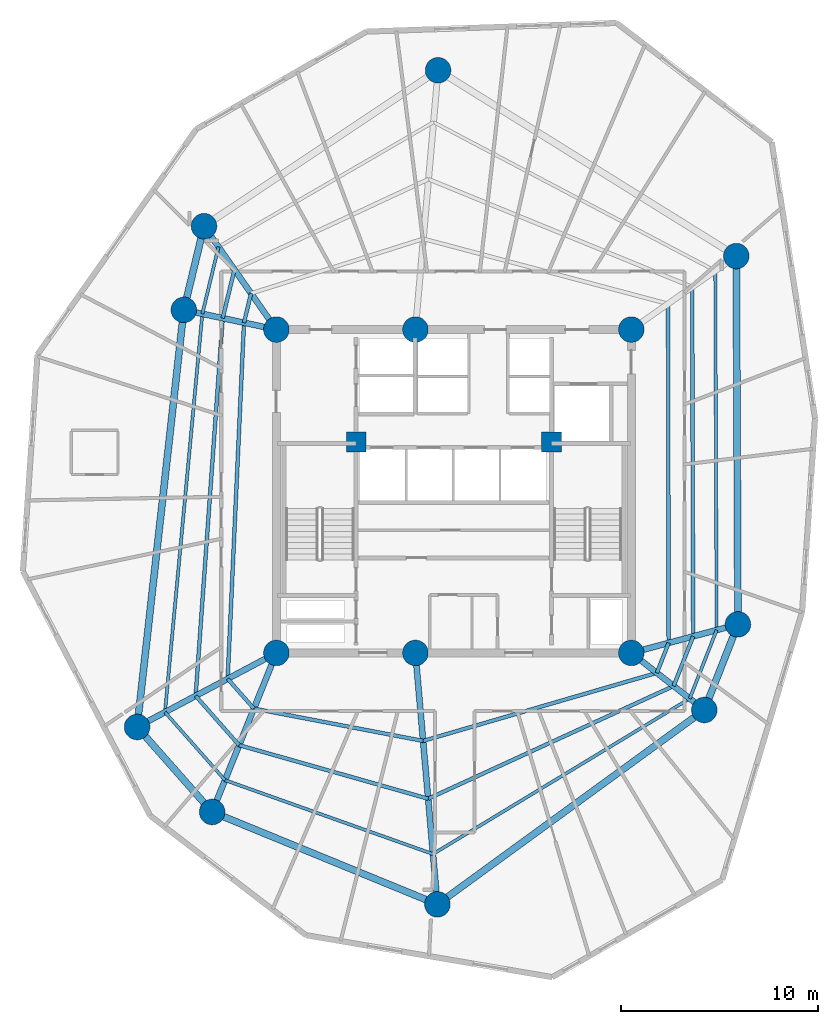
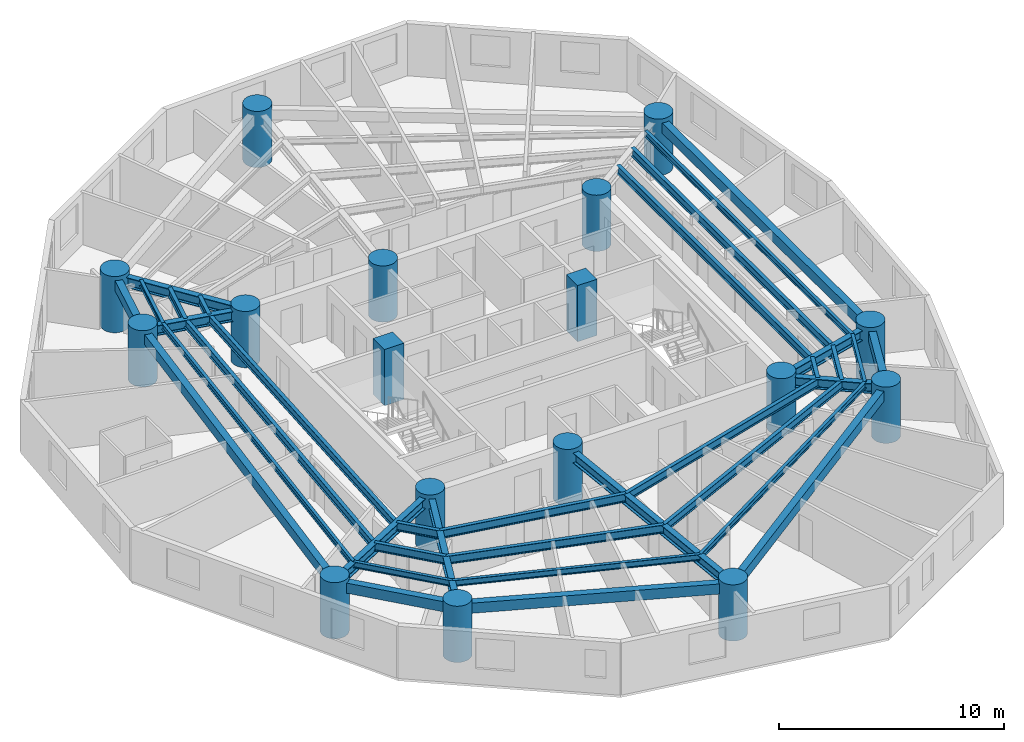
# One storey, part 1 of 8: 35 beams, 17 columns.
"""IFC4 building model written with IfcOpenShell, lengths in metres."""

from ifc_helpers import new_model, si_unit, direction, frame, origin, origin_with_axes, origin_2d, place, context, subcontext, project, spatial, rectangle, circle, i_section, extrude, source, transform, mapped, material, material_profile, profile_set, type_object, element, save


model = new_model("IFC4")

# Units and contexts
model_context = context("Model", 3, precision=1e-05, world=origin(), true_north=direction((0.0, 1.0)))
body_context = subcontext(model_context, "Body", "Model", "MODEL_VIEW")
ifc_project = project(units=[si_unit("LENGTHUNIT", "METRE"), si_unit("AREAUNIT", "SQUARE_METRE"), si_unit("VOLUMEUNIT", "CUBIC_METRE"), si_unit("PLANEANGLEUNIT", "RADIAN"), si_unit("MASSUNIT", "GRAM", prefix="KILO")], contexts=[model_context])

# Site, building, storey
site_placement = place(None, origin())
site = spatial("IfcSite", under=ifc_project, at=site_placement, CompositionType="ELEMENT")
building_placement = place(site_placement, origin())
building = spatial("IfcBuilding", under=site, at=building_placement, Name="Karkom Vertical University and Central Library", CompositionType="ELEMENT")
storey_placement = place(building_placement, frame((0.0, 0.0, 177.89990234375)))
storey = spatial("IfcBuildingStorey", under=building, at=storey_placement, Name="L51", CompositionType="ELEMENT", Elevation=177.89990234375)

# Columns
ifc_material_1 = material(Name="Concrete C50/60", Category="concrete")
ifc_material_profile_1 = material_profile(ifc_material_1, circle(Radius=0.64990234375, at=origin_2d()), Name="CFT-D1300")
ifc_profile_set_1 = profile_set([ifc_material_profile_1], Name="Concrete C50/60")
column_type_1 = type_object("IfcColumnType", Name="STR-COL-C-SC4", PredefinedType="COLUMN", material=ifc_profile_set_1)
shared_shape_1 = source(origin_with_axes(), body_context, "Body", "SweptSolid", [
    extrude(circle(Radius=0.64990234375, at=origin_2d()), origin(), (0.0, 0.0, 1.0), 3.050048828125),
])
for number, where, z_axis, x_axis, name in (
    (1, (19.5, 18.300048828125, 0.0), (0.0, 0.0, 1.0), (1.0, 0.0, 0.0), "Level 51 Spine Mega-Column SC-1"),
    (2, (26.550048828125, 18.300048828125, 0.0), (0.0, 0.0, 1.0), (1.0, 0.0, 0.0), "Level 51 Spine Mega-Column SC-2"),
    (3, (37.5, 18.300048828125, 0.0), (0.0, 0.0, 1.0), (1.0, 0.0, 0.0), "Level 51 Spine Mega-Column SC-3"),
    (4, (19.5, 34.699951171875, 0.0), (0.0, 0.0, 1.0), (1.0, 0.0, 0.0), "Level 51 Spine Mega-Column SC-4"),
    (5, (26.550048828125, 34.699951171875, 0.0), (0.0, 0.0, 1.0), (1.0, 0.0, 0.0), "Level 51 Spine Mega-Column SC-5"),
    (6, (37.5, 34.699951171875, 0.0), (0.0, 0.0, 1.0), (1.0, 0.0, 0.0), "Level 51 Spine Mega-Column SC-6"),
    (7, (42.908935546875, 19.7490234375, 0.0), (0.0, 0.0, 1.0), (1.0, 0.0, 0.0), "Level 51 Perimeter Mega-Column Z3-PC1"),
    (8, (42.823974609375, 38.427978515625, 0.0), (0.0, 0.0, 1.0), (1.0, 0.0, 0.0), "Level 51 Perimeter Mega-Column Z3-PC2"),
    (9, (27.699951171875, 47.85009765625, 0.0), (0.0, 0.0, 1.0), (1.0, 0.0, 0.0), "Level 51 Perimeter Mega-Column Z3-PC3"),
    (10, (15.8291015625, 39.943115234375, 0.0), (0.0, 0.0, 1.0), (1.0, 0.0, 0.0), "Level 51 Perimeter Mega-Column Z3-PC4"),
    (11, (14.804931640625, 35.697998046875, 0.0), (0.0, 0.0, 1.0), (1.0, 0.0, 0.0), "Level 51 Perimeter Mega-Column Z3-PC5"),
    (12, (12.43603515625, 14.5439453125, 0.0), (0.0, 0.0, 1.0), (1.0, 0.0, 0.0), "Level 51 Perimeter Mega-Column Z3-PC6"),
    (13, (16.240966796875, 10.23388671875, 0.0), (0.0, 0.0, 1.0), (1.0, 0.0, 0.0), "Level 51 Perimeter Mega-Column Z3-PC7"),
    (14, (27.666015625, 5.549072265625, 0.0), (0.0, 0.0, 1.0), (1.0, 0.0, 0.0), "Level 51 Perimeter Mega-Column Z3-PC8"),
    (15, (41.2041015625, 15.406005859375, 0.0), (0.0, 0.0, 1.0), (1.0, 0.0, 0.0), "Level 51 Perimeter Mega-Column Z3-PC9"),
):
    element("IfcColumn", number, at=place(storey_placement, frame(where, z_axis=z_axis, x_axis=x_axis)), inside=storey, type_object=column_type_1, Name=name, PredefinedType="COLUMN", context=body_context, shape_type="MappedRepresentation", body=[
        mapped(shared_shape_1, transform((0.0, 0.0, 0.0), scale=1.0)),
    ])
ifc_material_profile_2 = material_profile(ifc_material_1, rectangle(XDim=1.0, YDim=1.0, at=origin_2d()), Name="RC-1000x1000")
ifc_profile_set_2 = profile_set([ifc_material_profile_2], Name="Concrete C50/60")
column_type_2 = type_object("IfcColumnType", Name="STR-COL-C-CC2", PredefinedType="COLUMN", material=ifc_profile_set_2)
shared_shape_2 = source(origin_with_axes(), body_context, "Body", "SweptSolid", [
    extrude(rectangle(XDim=1.0, YDim=1.0, at=origin_2d()), origin(), (0.0, 0.0, 1.0), 3.050048828125),
])
for number, where, z_axis, x_axis, name in (
    (16, (23.550048828125, 29.0, 0.0), (0.0, 0.0, 1.0), (1.0, 0.0, 0.0), "Level 51 Core Node Column CC-1"),
    (17, (33.449951171875, 29.0, 0.0), (0.0, 0.0, 1.0), (1.0, 0.0, 0.0), "Level 51 Core Node Column CC-2"),
):
    element("IfcColumn", number, at=place(storey_placement, frame(where, z_axis=z_axis, x_axis=x_axis)), inside=storey, type_object=column_type_2, Name=name, PredefinedType="COLUMN", context=body_context, shape_type="MappedRepresentation", body=[
        mapped(shared_shape_2, transform((0.0, 0.0, 0.0), scale=1.0)),
    ])

# Beams
ifc_material_2 = material(Name="Precast concrete C45/55", Category="concrete")
ifc_material_profile_3 = material_profile(ifc_material_2, rectangle(XDim=0.35009765625, YDim=0.550048828125, at=origin_2d()), Name="SPB-350x550")
ifc_profile_set_3 = profile_set([ifc_material_profile_3], Name="Precast concrete C45/55")
beam_type_1 = type_object("IfcBeamType", Name="STR-BM-SP-2", PredefinedType="SPANDREL", material=ifc_profile_set_3)
shared_shape_3 = source(origin_with_axes(), body_context, "Body", "SweptSolid", [
    extrude(rectangle(XDim=0.35009765625, YDim=0.550048828125, at=origin_2d()), origin(), (0.0, 0.0, 1.0), 18.67919921875),
])
beam_1_placement = place(storey_placement, frame((42.908935546875, 19.7490234375, 2.550048828125), z_axis=(-0.004548437442, 0.999989655805, 0.0), x_axis=(-0.999989655805, -0.004548437442, 0.0)))
element("IfcBeam", 18, at=beam_1_placement, inside=storey, type_object=beam_type_1, Name="Level 51 Perimeter Spandrel Beam 01", PredefinedType="SPANDREL", context=body_context, shape_type="MappedRepresentation", body=[
    mapped(shared_shape_3, transform((0.0, 0.0, 0.0), scale=1.0)),
])
shared_shape_4 = source(origin_with_axes(), body_context, "Body", "SweptSolid", [
    extrude(rectangle(XDim=0.35009765625, YDim=0.550048828125, at=origin_2d()), origin(), (0.0, 0.0, 1.0), 4.366943359375),
])
beam_2_placement = place(storey_placement, frame((15.8291015625, 39.943115234375, 2.550048828125), z_axis=(-0.234529408772, -0.972109024966, 0.0), x_axis=(0.972109024966, -0.234529408772, 0.0)))
element("IfcBeam", 19, at=beam_2_placement, inside=storey, type_object=beam_type_1, Name="Level 51 Perimeter Spandrel Beam 04", PredefinedType="SPANDREL", context=body_context, shape_type="MappedRepresentation", body=[
    mapped(shared_shape_4, transform((0.0, 0.0, 0.0), scale=1.0)),
])
shared_shape_5 = source(origin_with_axes(), body_context, "Body", "SweptSolid", [
    extrude(rectangle(XDim=0.35009765625, YDim=0.550048828125, at=origin_2d()), origin(), (0.0, 0.0, 1.0), 21.286376953125),
])
beam_3_placement = place(storey_placement, frame((14.804931640625, 35.697998046875, 2.550048828125), z_axis=(-0.111287493264, -0.993788254028, 0.0), x_axis=(0.993788254028, -0.111287493264, 0.0)))
element("IfcBeam", 20, at=beam_3_placement, inside=storey, type_object=beam_type_1, Name="Level 51 Perimeter Spandrel Beam 05", PredefinedType="SPANDREL", context=body_context, shape_type="MappedRepresentation", body=[
    mapped(shared_shape_5, transform((0.0, 0.0, 0.0), scale=1.0)),
])
shared_shape_6 = source(origin_with_axes(), body_context, "Body", "SweptSolid", [
    extrude(rectangle(XDim=0.35009765625, YDim=0.550048828125, at=origin_2d()), origin(), (0.0, 0.0, 1.0), 5.749267578125),
])
beam_4_placement = place(storey_placement, frame((12.43603515625, 14.5439453125, 2.550048828125), z_axis=(0.661811219671, -0.74967053398, 0.0), x_axis=(0.74967053398, 0.661811219671, 0.0)))
element("IfcBeam", 21, at=beam_4_placement, inside=storey, type_object=beam_type_1, Name="Level 51 Perimeter Spandrel Beam 06", PredefinedType="SPANDREL", context=body_context, shape_type="MappedRepresentation", body=[
    mapped(shared_shape_6, transform((0.0, 0.0, 0.0), scale=1.0)),
])
shared_shape_7 = source(origin_with_axes(), body_context, "Body", "SweptSolid", [
    extrude(rectangle(XDim=0.35009765625, YDim=0.550048828125, at=origin_2d()), origin(), (0.0, 0.0, 1.0), 12.34814453125),
])
beam_5_placement = place(storey_placement, frame((16.240966796875, 10.23388671875, 2.550048828125), z_axis=(0.925236428984, -0.37939102583, 0.0), x_axis=(0.37939102583, 0.925236428984, 0.0)))
element("IfcBeam", 22, at=beam_5_placement, inside=storey, type_object=beam_type_1, Name="Level 51 Perimeter Spandrel Beam 07", PredefinedType="SPANDREL", context=body_context, shape_type="MappedRepresentation", body=[
    mapped(shared_shape_7, transform((0.0, 0.0, 0.0), scale=1.0)),
])
shared_shape_8 = source(origin_with_axes(), body_context, "Body", "SweptSolid", [
    extrude(rectangle(XDim=0.35009765625, YDim=0.550048828125, at=origin_2d()), origin(), (0.0, 0.0, 1.0), 16.746337890625),
])
beam_6_placement = place(storey_placement, frame((27.666015625, 5.549072265625, 2.550048828125), z_axis=(0.808422013284, 0.588603303115, 0.0), x_axis=(-0.588603303115, 0.808422013284, 0.0)))
element("IfcBeam", 23, at=beam_6_placement, inside=storey, type_object=beam_type_1, Name="Level 51 Perimeter Spandrel Beam 08", PredefinedType="SPANDREL", context=body_context, shape_type="MappedRepresentation", body=[
    mapped(shared_shape_8, transform((0.0, 0.0, 0.0), scale=1.0)),
])
shared_shape_9 = source(origin_with_axes(), body_context, "Body", "SweptSolid", [
    extrude(rectangle(XDim=0.35009765625, YDim=0.550048828125, at=origin_2d()), origin(), (0.0, 0.0, 1.0), 4.66552734375),
])
beam_7_placement = place(storey_placement, frame((41.2041015625, 15.406005859375, 2.550048828125), z_axis=(0.365401419454, 0.930850043058, 0.0), x_axis=(-0.930850043058, 0.365401419454, 0.0)))
element("IfcBeam", 24, at=beam_7_placement, inside=storey, type_object=beam_type_1, Name="Level 51 Perimeter Spandrel Beam 09", PredefinedType="SPANDREL", context=body_context, shape_type="MappedRepresentation", body=[
    mapped(shared_shape_9, transform((0.0, 0.0, 0.0), scale=1.0)),
])
ifc_material_3 = material(Name="Steel S355", Category="steel")
ifc_material_profile_4 = material_profile(ifc_material_3, i_section(OverallWidth=0.18994140625, OverallDepth=0.449951171875, WebThickness=0.009521484375, FlangeThickness=0.0146484375, FilletRadius=0.02099609375, at=origin_2d()), Name="IPE 450")
ifc_profile_set_4 = profile_set([ifc_material_profile_4], Name="Steel S355")
beam_type_2 = type_object("IfcBeamType", Name="STR-BM-SB-IPE450", PredefinedType="BEAM", material=ifc_profile_set_4)
shared_shape_10 = source(origin_with_axes(), body_context, "Body", "SweptSolid", [
    extrude(i_section(OverallWidth=0.18994140625, OverallDepth=0.449951171875, WebThickness=0.009521484375, FlangeThickness=0.0146484375, FilletRadius=0.02099609375, at=origin_2d()), origin(), (0.0, 0.0, 1.0), 17.19775390625),
])
beam_8_placement = place(storey_placement, frame((39.39306640625, 18.80712890625, 2.60009765625), z_axis=(-0.001731918699, 0.999998500228, 0.0), x_axis=(-0.999998500228, -0.001731918699, 0.0)))
element("IfcBeam", 25, at=beam_8_placement, inside=storey, type_object=beam_type_2, Name="Level 51 Secondary Composite Floor Beam 1.01", PredefinedType="BEAM", context=body_context, shape_type="MappedRepresentation", body=[
    mapped(shared_shape_10, transform((0.0, 0.0, 0.0), scale=1.0)),
])
shared_shape_11 = source(origin_with_axes(), body_context, "Body", "SweptSolid", [
    extrude(i_section(OverallWidth=0.18994140625, OverallDepth=0.449951171875, WebThickness=0.009521484375, FlangeThickness=0.0146484375, FilletRadius=0.02099609375, at=origin_2d()), origin(), (0.0, 0.0, 1.0), 1.5283203125),
])
beam_9_placement = place(storey_placement, frame((18.215087890625, 36.534912109375, 2.60009765625), z_axis=(-0.234520804587, -0.972111100757, 0.0), x_axis=(0.972111100757, -0.234520804587, 0.0)))
element("IfcBeam", 26, at=beam_9_placement, inside=storey, type_object=beam_type_2, Name="Level 51 Secondary Composite Floor Beam 1.04", PredefinedType="BEAM", context=body_context, shape_type="MappedRepresentation", body=[
    mapped(shared_shape_11, transform((0.0, 0.0, 0.0), scale=1.0)),
])
shared_shape_12 = source(origin_with_axes(), body_context, "Body", "SweptSolid", [
    extrude(i_section(OverallWidth=0.18994140625, OverallDepth=0.449951171875, WebThickness=0.009521484375, FlangeThickness=0.0146484375, FilletRadius=0.02099609375, at=origin_2d()), origin(), (0.0, 0.0, 1.0), 18.0830078125),
])
beam_10_placement = place(storey_placement, frame((17.856689453125, 35.04931640625, 2.60009765625), z_axis=(-0.04584982532, -0.998948343769, 0.0), x_axis=(0.998948343769, -0.04584982532, 0.0)))
element("IfcBeam", 27, at=beam_10_placement, inside=storey, type_object=beam_type_2, Name="Level 51 Secondary Composite Floor Beam 1.05", PredefinedType="BEAM", context=body_context, shape_type="MappedRepresentation", body=[
    mapped(shared_shape_12, transform((0.0, 0.0, 0.0), scale=1.0)),
])
shared_shape_13 = source(origin_with_axes(), body_context, "Body", "SweptSolid", [
    extrude(i_section(OverallWidth=0.18994140625, OverallDepth=0.449951171875, WebThickness=0.009521484375, FlangeThickness=0.0146484375, FilletRadius=0.02099609375, at=origin_2d()), origin(), (0.0, 0.0, 1.0), 2.01220703125),
])
beam_11_placement = place(storey_placement, frame((17.027587890625, 16.9853515625, 2.60009765625), z_axis=(0.661822246424, -0.749660799387, 0.0), x_axis=(0.749660799387, 0.661822246424, 0.0)))
element("IfcBeam", 28, at=beam_11_placement, inside=storey, type_object=beam_type_2, Name="Level 51 Secondary Composite Floor Beam 1.06", PredefinedType="BEAM", context=body_context, shape_type="MappedRepresentation", body=[
    mapped(shared_shape_13, transform((0.0, 0.0, 0.0), scale=1.0)),
])
shared_shape_14 = source(origin_with_axes(), body_context, "Body", "SweptSolid", [
    extrude(i_section(OverallWidth=0.18994140625, OverallDepth=0.449951171875, WebThickness=0.009521484375, FlangeThickness=0.0146484375, FilletRadius=0.02099609375, at=origin_2d()), origin(), (0.0, 0.0, 1.0), 8.736572265625),
])
beam_12_placement = place(storey_placement, frame((18.359375, 15.476806640625, 2.60009765625), z_axis=(0.982230782932, -0.187677087205, 0.0), x_axis=(0.187677087205, 0.982230782932, 0.0)))
element("IfcBeam", 29, at=beam_12_placement, inside=storey, type_object=beam_type_2, Name="Level 51 Secondary Composite Floor Beam 1.07", PredefinedType="BEAM", context=body_context, shape_type="MappedRepresentation", body=[
    mapped(shared_shape_14, transform((0.0, 0.0, 0.0), scale=1.0)),
])
shared_shape_15 = source(origin_with_axes(), body_context, "Body", "SweptSolid", [
    extrude(i_section(OverallWidth=0.18994140625, OverallDepth=0.449951171875, WebThickness=0.009521484375, FlangeThickness=0.0146484375, FilletRadius=0.02099609375, at=origin_2d()), origin(), (0.0, 0.0, 1.0), 12.347412109375),
])
beam_13_placement = place(storey_placement, frame((26.940673828125, 13.837158203125, 2.60009765625), z_axis=(0.960173212987, 0.279405442077, 0.0), x_axis=(-0.279405442077, 0.960173212987, 0.0)))
element("IfcBeam", 30, at=beam_13_placement, inside=storey, type_object=beam_type_2, Name="Level 51 Secondary Composite Floor Beam 1.08", PredefinedType="BEAM", context=body_context, shape_type="MappedRepresentation", body=[
    mapped(shared_shape_15, transform((0.0, 0.0, 0.0), scale=1.0)),
])
shared_shape_16 = source(origin_with_axes(), body_context, "Body", "SweptSolid", [
    extrude(i_section(OverallWidth=0.18994140625, OverallDepth=0.449951171875, WebThickness=0.009521484375, FlangeThickness=0.0146484375, FilletRadius=0.02099609375, at=origin_2d()), origin(), (0.0, 0.0, 1.0), 1.633056640625),
])
beam_14_placement = place(storey_placement, frame((38.79638671875, 17.287109375, 2.60009765625), z_axis=(0.365402570083, 0.930849591382, 0.0), x_axis=(-0.930849591382, 0.365402570083, 0.0)))
element("IfcBeam", 31, at=beam_14_placement, inside=storey, type_object=beam_type_2, Name="Level 51 Secondary Composite Floor Beam 1.09", PredefinedType="BEAM", context=body_context, shape_type="MappedRepresentation", body=[
    mapped(shared_shape_16, transform((0.0, 0.0, 0.0), scale=1.0)),
])
shared_shape_17 = source(origin_with_axes(), body_context, "Body", "SweptSolid", [
    extrude(i_section(OverallWidth=0.18994140625, OverallDepth=0.449951171875, WebThickness=0.009521484375, FlangeThickness=0.0146484375, FilletRadius=0.02099609375, at=origin_2d()), origin(), (0.0, 0.0, 1.0), 17.721923828125),
])
beam_15_placement = place(storey_placement, frame((40.63720703125, 19.140380859375, 2.60009765625), z_axis=(-0.002782780006, 0.99999612806, 0.0), x_axis=(-0.99999612806, -0.002782780006, 0.0)))
element("IfcBeam", 32, at=beam_15_placement, inside=storey, type_object=beam_type_2, Name="Level 51 Secondary Composite Floor Beam 2.01", PredefinedType="BEAM", context=body_context, shape_type="MappedRepresentation", body=[
    mapped(shared_shape_17, transform((0.0, 0.0, 0.0), scale=1.0)),
])
shared_shape_18 = source(origin_with_axes(), body_context, "Body", "SweptSolid", [
    extrude(i_section(OverallWidth=0.18994140625, OverallDepth=0.449951171875, WebThickness=0.009521484375, FlangeThickness=0.0146484375, FilletRadius=0.02099609375, at=origin_2d()), origin(), (0.0, 0.0, 1.0), 2.53271484375),
])
beam_16_placement = place(storey_placement, frame((17.370849609375, 37.740966796875, 2.60009765625), z_axis=(-0.234521178828, -0.972111010472, 0.0), x_axis=(0.972111010472, -0.234521178828, 0.0)))
element("IfcBeam", 33, at=beam_16_placement, inside=storey, type_object=beam_type_2, Name="Level 51 Secondary Composite Floor Beam 2.04", PredefinedType="BEAM", context=body_context, shape_type="MappedRepresentation", body=[
    mapped(shared_shape_18, transform((0.0, 0.0, 0.0), scale=1.0)),
])
shared_shape_19 = source(origin_with_axes(), body_context, "Body", "SweptSolid", [
    extrude(i_section(OverallWidth=0.18994140625, OverallDepth=0.449951171875, WebThickness=0.009521484375, FlangeThickness=0.0146484375, FilletRadius=0.02099609375, at=origin_2d()), origin(), (0.0, 0.0, 1.0), 19.20654296875),
])
beam_17_placement = place(storey_placement, frame((16.77685546875, 35.27880859375, 2.60009765625), z_axis=(-0.071539731632, -0.997437750839, 0.0), x_axis=(0.997437750839, -0.071539731632, 0.0)))
element("IfcBeam", 34, at=beam_17_placement, inside=storey, type_object=beam_type_2, Name="Level 51 Secondary Composite Floor Beam 2.05", PredefinedType="BEAM", context=body_context, shape_type="MappedRepresentation", body=[
    mapped(shared_shape_19, transform((0.0, 0.0, 0.0), scale=1.0)),
])
shared_shape_20 = source(origin_with_axes(), body_context, "Body", "SweptSolid", [
    extrude(i_section(OverallWidth=0.18994140625, OverallDepth=0.449951171875, WebThickness=0.009521484375, FlangeThickness=0.0146484375, FilletRadius=0.02099609375, at=origin_2d()), origin(), (0.0, 0.0, 1.0), 3.334716796875),
])
beam_18_placement = place(storey_placement, frame((15.40283203125, 16.12158203125, 2.60009765625), z_axis=(0.661815321502, -0.749666912852, 0.0), x_axis=(0.749666912852, 0.661815321502, 0.0)))
element("IfcBeam", 35, at=beam_18_placement, inside=storey, type_object=beam_type_2, Name="Level 51 Secondary Composite Floor Beam 2.06", PredefinedType="BEAM", context=body_context, shape_type="MappedRepresentation", body=[
    mapped(shared_shape_20, transform((0.0, 0.0, 0.0), scale=1.0)),
])
shared_shape_21 = source(origin_with_axes(), body_context, "Body", "SweptSolid", [
    extrude(i_section(OverallWidth=0.18994140625, OverallDepth=0.449951171875, WebThickness=0.009521484375, FlangeThickness=0.0146484375, FilletRadius=0.02099609375, at=origin_2d()), origin(), (0.0, 0.0, 1.0), 9.965087890625),
])
beam_19_placement = place(storey_placement, frame((17.60986328125, 13.62158203125, 2.60009765625), z_axis=(0.962104232935, -0.272681948372, 0.0), x_axis=(0.272681948372, 0.962104232935, 0.0)))
element("IfcBeam", 36, at=beam_19_placement, inside=storey, type_object=beam_type_2, Name="Level 51 Secondary Composite Floor Beam 2.07", PredefinedType="BEAM", context=body_context, shape_type="MappedRepresentation", body=[
    mapped(shared_shape_21, transform((0.0, 0.0, 0.0), scale=1.0)),
])
shared_shape_22 = source(origin_with_axes(), body_context, "Body", "SweptSolid", [
    extrude(i_section(OverallWidth=0.18994140625, OverallDepth=0.449951171875, WebThickness=0.009521484375, FlangeThickness=0.0146484375, FilletRadius=0.02099609375, at=origin_2d()), origin(), (0.0, 0.0, 1.0), 13.700927734375),
])
beam_20_placement = place(storey_placement, frame((27.197265625, 10.904296875, 2.60009765625), z_axis=(0.908771280691, 0.417294571486, 0.0), x_axis=(-0.417294571486, 0.908771280691, 0.0)))
element("IfcBeam", 37, at=beam_20_placement, inside=storey, type_object=beam_type_2, Name="Level 51 Secondary Composite Floor Beam 2.08", PredefinedType="BEAM", context=body_context, shape_type="MappedRepresentation", body=[
    mapped(shared_shape_22, transform((0.0, 0.0, 0.0), scale=1.0)),
])
shared_shape_23 = source(origin_with_axes(), body_context, "Body", "SweptSolid", [
    extrude(i_section(OverallWidth=0.18994140625, OverallDepth=0.449951171875, WebThickness=0.009521484375, FlangeThickness=0.0146484375, FilletRadius=0.02099609375, at=origin_2d()), origin(), (0.0, 0.0, 1.0), 2.7060546875),
])
beam_21_placement = place(storey_placement, frame((39.648193359375, 16.62158203125, 2.60009765625), z_axis=(0.365487674906, 0.930816179217, 0.0), x_axis=(-0.930816179217, 0.365487674906, 0.0)))
element("IfcBeam", 38, at=beam_21_placement, inside=storey, type_object=beam_type_2, Name="Level 51 Secondary Composite Floor Beam 2.09", PredefinedType="BEAM", context=body_context, shape_type="MappedRepresentation", body=[
    mapped(shared_shape_23, transform((0.0, 0.0, 0.0), scale=1.0)),
])
ifc_material_profile_5 = material_profile(ifc_material_3, i_section(OverallWidth=0.159912109375, OverallDepth=0.330078125, WebThickness=0.007568359375, FlangeThickness=0.011474609375, FilletRadius=0.01806640625, at=origin_2d()), Name="IPE 330")
ifc_profile_set_5 = profile_set([ifc_material_profile_5], Name="Steel S355")
beam_type_3 = type_object("IfcBeamType", Name="STR-BM-SB-IPE330", PredefinedType="BEAM", material=ifc_profile_set_5)
shared_shape_24 = source(origin_with_axes(), body_context, "Body", "SweptSolid", [
    extrude(i_section(OverallWidth=0.159912109375, OverallDepth=0.330078125, WebThickness=0.007568359375, FlangeThickness=0.011474609375, FilletRadius=0.01806640625, at=origin_2d()), origin(), (0.0, 0.0, 1.0), 18.223388671875),
])
beam_22_placement = place(storey_placement, frame((41.8271484375, 19.459228515625, 2.66015625), z_axis=(-0.003724418851, 0.999993064328, 0.0), x_axis=(-0.999993064328, -0.003724418851, 0.0)))
element("IfcBeam", 39, at=beam_22_placement, inside=storey, type_object=beam_type_3, Name="Level 51 Secondary Composite Floor Beam 3.01", PredefinedType="BEAM", context=body_context, shape_type="MappedRepresentation", body=[
    mapped(shared_shape_24, transform((0.0, 0.0, 0.0), scale=1.0)),
])
shared_shape_25 = source(origin_with_axes(), body_context, "Body", "SweptSolid", [
    extrude(i_section(OverallWidth=0.159912109375, OverallDepth=0.330078125, WebThickness=0.007568359375, FlangeThickness=0.011474609375, FilletRadius=0.01806640625, at=origin_2d()), origin(), (0.0, 0.0, 1.0), 3.493408203125),
])
beam_23_placement = place(storey_placement, frame((16.563232421875, 38.894287109375, 2.66015625), z_axis=(-0.234535781995, -0.972107487351, 0.0), x_axis=(0.972107487351, -0.234535781995, 0.0)))
element("IfcBeam", 40, at=beam_23_placement, inside=storey, type_object=beam_type_3, Name="Level 51 Secondary Composite Floor Beam 3.04", PredefinedType="BEAM", context=body_context, shape_type="MappedRepresentation", body=[
    mapped(shared_shape_25, transform((0.0, 0.0, 0.0), scale=1.0)),
])
shared_shape_26 = source(origin_with_axes(), body_context, "Body", "SweptSolid", [
    extrude(i_section(OverallWidth=0.159912109375, OverallDepth=0.330078125, WebThickness=0.007568359375, FlangeThickness=0.011474609375, FilletRadius=0.01806640625, at=origin_2d()), origin(), (0.0, 0.0, 1.0), 20.291748046875),
])
beam_24_placement = place(storey_placement, frame((15.743896484375, 35.498291015625, 2.66015625), z_axis=(-0.093388415244, -0.995629752417, 0.0), x_axis=(0.995629752417, -0.093388415244, 0.0)))
element("IfcBeam", 41, at=beam_24_placement, inside=storey, type_object=beam_type_3, Name="Level 51 Secondary Composite Floor Beam 3.05", PredefinedType="BEAM", context=body_context, shape_type="MappedRepresentation", body=[
    mapped(shared_shape_26, transform((0.0, 0.0, 0.0), scale=1.0)),
])
shared_shape_27 = source(origin_with_axes(), body_context, "Body", "SweptSolid", [
    extrude(i_section(OverallWidth=0.159912109375, OverallDepth=0.330078125, WebThickness=0.007568359375, FlangeThickness=0.011474609375, FilletRadius=0.01806640625, at=origin_2d()), origin(), (0.0, 0.0, 1.0), 4.599365234375),
])
beam_25_placement = place(storey_placement, frame((13.848876953125, 15.295166015625, 2.66015625), z_axis=(0.661816486801, -0.74966588411, 0.0), x_axis=(0.74966588411, 0.661816486801, 0.0)))
element("IfcBeam", 42, at=beam_25_placement, inside=storey, type_object=beam_type_3, Name="Level 51 Secondary Composite Floor Beam 3.06", PredefinedType="BEAM", context=body_context, shape_type="MappedRepresentation", body=[
    mapped(shared_shape_27, transform((0.0, 0.0, 0.0), scale=1.0)),
])
shared_shape_28 = source(origin_with_axes(), body_context, "Body", "SweptSolid", [
    extrude(i_section(OverallWidth=0.159912109375, OverallDepth=0.330078125, WebThickness=0.007568359375, FlangeThickness=0.011474609375, FilletRadius=0.01806640625, at=origin_2d()), origin(), (0.0, 0.0, 1.0), 11.196044921875),
])
beam_26_placement = place(storey_placement, frame((16.892822265625, 11.84716796875, 2.66015625), z_axis=(0.942301538336, -0.334765307119, 0.0), x_axis=(0.334765307119, 0.942301538336, 0.0)))
element("IfcBeam", 43, at=beam_26_placement, inside=storey, type_object=beam_type_3, Name="Level 51 Secondary Composite Floor Beam 3.07", PredefinedType="BEAM", context=body_context, shape_type="MappedRepresentation", body=[
    mapped(shared_shape_28, transform((0.0, 0.0, 0.0), scale=1.0)),
])
shared_shape_29 = source(origin_with_axes(), body_context, "Body", "SweptSolid", [
    extrude(i_section(OverallWidth=0.159912109375, OverallDepth=0.330078125, WebThickness=0.007568359375, FlangeThickness=0.011474609375, FilletRadius=0.01806640625, at=origin_2d()), origin(), (0.0, 0.0, 1.0), 15.22216796875),
])
beam_27_placement = place(storey_placement, frame((27.44287109375, 8.09912109375, 2.66015625), z_axis=(0.855352900974, 0.518045765155, 0.0), x_axis=(-0.518045765155, 0.855352900974, 0.0)))
element("IfcBeam", 44, at=beam_27_placement, inside=storey, type_object=beam_type_3, Name="Level 51 Secondary Composite Floor Beam 3.08", PredefinedType="BEAM", context=body_context, shape_type="MappedRepresentation", body=[
    mapped(shared_shape_29, transform((0.0, 0.0, 0.0), scale=1.0)),
])
shared_shape_30 = source(origin_with_axes(), body_context, "Body", "SweptSolid", [
    extrude(i_section(OverallWidth=0.159912109375, OverallDepth=0.330078125, WebThickness=0.007568359375, FlangeThickness=0.011474609375, FilletRadius=0.01806640625, at=origin_2d()), origin(), (0.0, 0.0, 1.0), 3.732421875),
])
beam_28_placement = place(storey_placement, frame((40.463134765625, 15.98486328125, 2.66015625), z_axis=(0.365439874109, 0.930834946922, 0.0), x_axis=(-0.930834946922, 0.365439874109, 0.0)))
element("IfcBeam", 45, at=beam_28_placement, inside=storey, type_object=beam_type_3, Name="Level 51 Secondary Composite Floor Beam 3.09", PredefinedType="BEAM", context=body_context, shape_type="MappedRepresentation", body=[
    mapped(shared_shape_30, transform((0.0, 0.0, 0.0), scale=1.0)),
])
ifc_material_profile_6 = material_profile(ifc_material_3, i_section(OverallWidth=0.300048828125, OverallDepth=0.550048828125, WebThickness=0.014892578125, FlangeThickness=0.029052734375, FilletRadius=0.027099609375, at=origin_2d()), Name="HE 550 B")
ifc_profile_set_6 = profile_set([ifc_material_profile_6], Name="Steel S355")
beam_type_4 = type_object("IfcBeamType", Name="STR-BM-SB-HE550", PredefinedType="USERDEFINED", material=ifc_profile_set_6)
shared_shape_31 = source(origin_with_axes(), body_context, "Body", "SweptSolid", [
    extrude(i_section(OverallWidth=0.300048828125, OverallDepth=0.550048828125, WebThickness=0.014892578125, FlangeThickness=0.029052734375, FilletRadius=0.027099609375, at=origin_2d()), origin(), (0.0, 0.0, 1.0), 5.599609375),
])
beam_29_placement = place(storey_placement, frame((37.5, 18.300048828125, 2.550048828125), z_axis=(0.965941240814, 0.258761510459, 0.0), x_axis=(-0.258761510459, 0.965941240814, 0.0)))
element("IfcBeam", 46, at=beam_29_placement, inside=storey, type_object=beam_type_4, Name="Level 51 Radial Frame Girder 01", ObjectType="GIRDER", PredefinedType="USERDEFINED", context=body_context, shape_type="MappedRepresentation", body=[
    mapped(shared_shape_31, transform((0.0, 0.0, 0.0), scale=1.0)),
])
shared_shape_32 = source(origin_with_axes(), body_context, "Body", "SweptSolid", [
    extrude(i_section(OverallWidth=0.300048828125, OverallDepth=0.550048828125, WebThickness=0.014892578125, FlangeThickness=0.029052734375, FilletRadius=0.027099609375, at=origin_2d()), origin(), (0.0, 0.0, 1.0), 6.400390625),
])
beam_30_placement = place(storey_placement, frame((19.5, 34.699951171875, 2.550048828125), z_axis=(-0.573534022273, 0.81918174131, 0.0), x_axis=(-0.81918174131, -0.573534022273, 0.0)))
element("IfcBeam", 47, at=beam_30_placement, inside=storey, type_object=beam_type_4, Name="Level 51 Radial Frame Girder 04", ObjectType="GIRDER", PredefinedType="USERDEFINED", context=body_context, shape_type="MappedRepresentation", body=[
    mapped(shared_shape_32, transform((0.0, 0.0, 0.0), scale=1.0)),
])
shared_shape_33 = source(origin_with_axes(), body_context, "Body", "SweptSolid", [
    extrude(i_section(OverallWidth=0.300048828125, OverallDepth=0.550048828125, WebThickness=0.014892578125, FlangeThickness=0.029052734375, FilletRadius=0.027099609375, at=origin_2d()), origin(), (0.0, 0.0, 1.0), 4.800048828125),
])
beam_31_placement = place(storey_placement, frame((19.5, 34.699951171875, 2.550048828125), z_axis=(-0.978144241295, 0.207927495108, 0.0), x_axis=(-0.207927495108, -0.978144241295, 0.0)))
element("IfcBeam", 48, at=beam_31_placement, inside=storey, type_object=beam_type_4, Name="Level 51 Radial Frame Girder 05", ObjectType="GIRDER", PredefinedType="USERDEFINED", context=body_context, shape_type="MappedRepresentation", body=[
    mapped(shared_shape_33, transform((0.0, 0.0, 0.0), scale=1.0)),
])
shared_shape_34 = source(origin_with_axes(), body_context, "Body", "SweptSolid", [
    extrude(i_section(OverallWidth=0.300048828125, OverallDepth=0.550048828125, WebThickness=0.014892578125, FlangeThickness=0.029052734375, FilletRadius=0.027099609375, at=origin_2d()), origin(), (0.0, 0.0, 1.0), 8.00048828125),
])
beam_32_placement = place(storey_placement, frame((19.5, 18.300048828125, 2.550048828125), z_axis=(-0.882941023922, -0.46948391695, 0.0), x_axis=(0.46948391695, -0.882941023922, 0.0)))
element("IfcBeam", 49, at=beam_32_placement, inside=storey, type_object=beam_type_4, Name="Level 51 Radial Frame Girder 06", ObjectType="GIRDER", PredefinedType="USERDEFINED", context=body_context, shape_type="MappedRepresentation", body=[
    mapped(shared_shape_34, transform((0.0, 0.0, 0.0), scale=1.0)),
])
shared_shape_35 = source(origin_with_axes(), body_context, "Body", "SweptSolid", [
    extrude(i_section(OverallWidth=0.300048828125, OverallDepth=0.550048828125, WebThickness=0.014892578125, FlangeThickness=0.029052734375, FilletRadius=0.027099609375, at=origin_2d()), origin(), (0.0, 0.0, 1.0), 8.69970703125),
])
beam_33_placement = place(storey_placement, frame((19.5, 18.300048828125, 2.550048828125), z_axis=(-0.374615701214, -0.927180174725, 0.0), x_axis=(0.927180174725, -0.374615701214, 0.0)))
element("IfcBeam", 50, at=beam_33_placement, inside=storey, type_object=beam_type_4, Name="Level 51 Radial Frame Girder 07", ObjectType="GIRDER", PredefinedType="USERDEFINED", context=body_context, shape_type="MappedRepresentation", body=[
    mapped(shared_shape_35, transform((0.0, 0.0, 0.0), scale=1.0)),
])
shared_shape_36 = source(origin_with_axes(), body_context, "Body", "SweptSolid", [
    extrude(i_section(OverallWidth=0.300048828125, OverallDepth=0.550048828125, WebThickness=0.014892578125, FlangeThickness=0.029052734375, FilletRadius=0.027099609375, at=origin_2d()), origin(), (0.0, 0.0, 1.0), 12.7998046875),
])
beam_34_placement = place(storey_placement, frame((26.550048828125, 18.300048828125, 2.550048828125), z_axis=(0.087186825694, -0.996191978198, 0.0), x_axis=(0.996191978198, 0.087186825694, 0.0)))
element("IfcBeam", 51, at=beam_34_placement, inside=storey, type_object=beam_type_4, Name="Level 51 Radial Frame Girder 08", ObjectType="GIRDER", PredefinedType="USERDEFINED", context=body_context, shape_type="MappedRepresentation", body=[
    mapped(shared_shape_36, transform((0.0, 0.0, 0.0), scale=1.0)),
])
shared_shape_37 = source(origin_with_axes(), body_context, "Body", "SweptSolid", [
    extrude(i_section(OverallWidth=0.300048828125, OverallDepth=0.550048828125, WebThickness=0.014892578125, FlangeThickness=0.029052734375, FilletRadius=0.027099609375, at=origin_2d()), origin(), (0.0, 0.0, 1.0), 4.70068359375),
])
beam_35_placement = place(storey_placement, frame((37.5, 18.300048828125, 2.550048828125), z_axis=(0.788002325582, -0.615672262553, 0.0), x_axis=(0.615672262553, 0.788002325582, 0.0)))
element("IfcBeam", 52, at=beam_35_placement, inside=storey, type_object=beam_type_4, Name="Level 51 Radial Frame Girder 09", ObjectType="GIRDER", PredefinedType="USERDEFINED", context=body_context, shape_type="MappedRepresentation", body=[
    mapped(shared_shape_37, transform((0.0, 0.0, 0.0), scale=1.0)),
])

save(model, "model.ifc")
